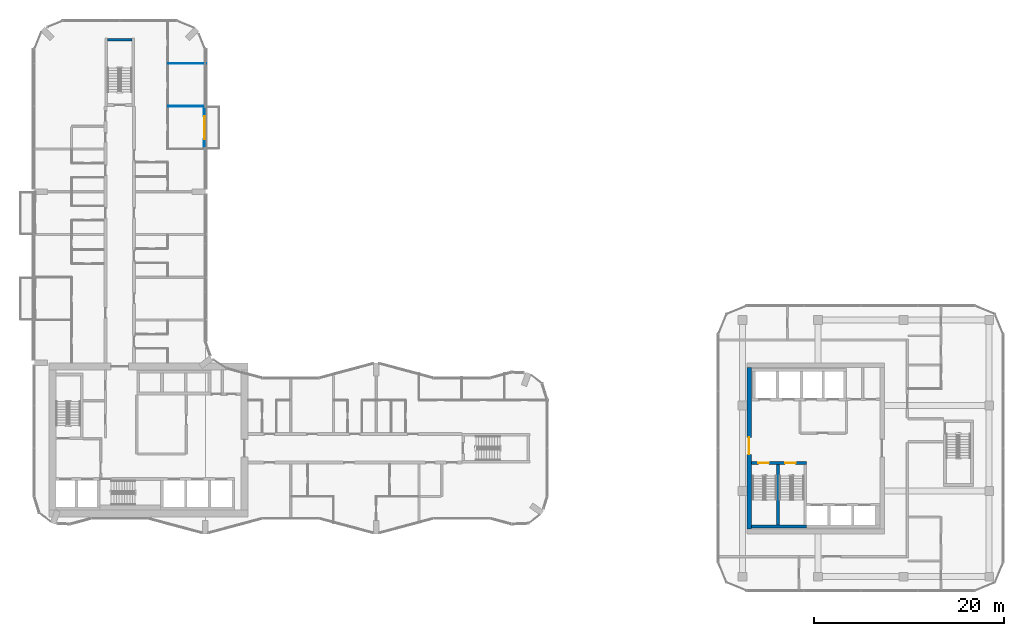
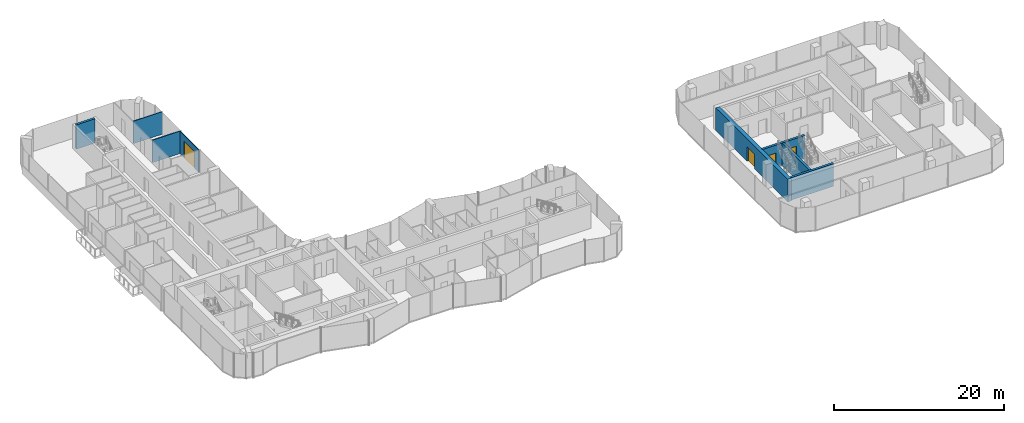
# One storey, part 18 of 24: 8 walls, 4 doors, 4 openings.
"""IFC4 building model written with IfcOpenShell, lengths in metres."""

from ifc_helpers import new_model, si_unit, direction, frame, frame_2d, origin, place, context, subcontext, project, spatial, rectangle, extrude, material, layer, layer_set, type_object, element, fill, save


model = new_model("IFC4")

# Units and contexts
model_context = context("Model", 3, precision=1e-05, world=origin(), true_north=direction((0.0, 1.0)))
body_context = subcontext(model_context, "Body", "Model", "MODEL_VIEW")
ifc_project = project(units=[si_unit("LENGTHUNIT", "METRE"), si_unit("AREAUNIT", "SQUARE_METRE"), si_unit("VOLUMEUNIT", "CUBIC_METRE"), si_unit("PLANEANGLEUNIT", "RADIAN"), si_unit("MASSUNIT", "GRAM", prefix="KILO")], contexts=[model_context])

# Site, building, storey
site_placement = place(None, origin())
site = spatial("IfcSite", under=ifc_project, at=site_placement, CompositionType="ELEMENT")
building_placement = place(site_placement, origin())
building = spatial("IfcBuilding", under=site, at=building_placement, Name="Plateau Cross Towers", CompositionType="ELEMENT")
storey_placement = place(building_placement, frame((0.0, 0.0, 47.800048828125)))
storey = spatial("IfcBuildingStorey", under=building, at=storey_placement, Name="L11", CompositionType="ELEMENT", Elevation=47.800048828125)

# Wall, opening, door
ifc_material_1 = material(Name="Aluminium framed glazing", Category="aluminium")
ifc_layer_1 = layer(ifc_material_1, 0.10009765625)
ifc_layer_set_1 = layer_set([ifc_layer_1], Name="Aluminium framed glazing")
wall_type_1 = type_object("IfcWallType", Name="Balcony screen wall 100", PredefinedType="STANDARD", material=ifc_layer_set_1)
wall_1_placement = place(storey_placement, frame((17.89990234375, 45.0, 0.0), z_axis=(0.0, 0.0, 1.0), x_axis=(0.0, -1.0, 0.0)))
wall_1 = element("IfcWall", 1, at=wall_1_placement, inside=storey, type_object=wall_type_1, Name="Balcony screen wall A-BAL-L11-03", PredefinedType="STANDARD", context=body_context, shape_type="SweptSolid", body=[
    extrude(rectangle(XDim=4.5, YDim=0.10009765625, at=frame_2d((2.25, 0.0))), origin(), (0.0, 0.0, 1.0), 3.25),
])
opening_1_placement = place(wall_1_placement, frame((1.050048828125, 0.0, 0.0)))
opening_1 = element("IfcOpeningElement", 2, at=opening_1_placement, cuts=wall_1, Name="Opening D-B24", PredefinedType="OPENING", context=body_context, shape_type="SweptSolid", body=[
    extrude(rectangle(XDim=2.39990234375, YDim=2.39990234375, at=frame_2d((1.199951171875, 1.199951171875))), frame((0.0, 0.06005859375, 0.0), z_axis=(0.0, -1.0, 0.0), x_axis=(1.0, 0.0, 0.0)), (0.0, 0.0, 1.0), 0.1201171875),
])
ifc_material_2 = material(Name="Aluminium frame, double glazing", Category="aluminium")
door_type_1 = type_object("IfcDoorType", Name="Balcony sliding door 2400", OperationType="NOTDEFINED", PredefinedType="DOOR", material=ifc_material_2)
door_1_placement = place(opening_1_placement, origin())
door_1 = element("IfcDoor", 3, at=door_1_placement, inside=storey, type_object=door_type_1, Name="Balcony door A-BAL-L11-03", OperationType="SINGLE_SWING_LEFT", OverallHeight=2.39990234375, OverallWidth=2.39990234375, PredefinedType="DOOR", context=body_context, shape_type="SweptSolid", body=[
    extrude(rectangle(XDim=2.39990234375, YDim=2.39990234375, at=frame_2d((1.199951171875, 1.199951171875))), frame((0.0, 0.02490234375, 0.0), z_axis=(0.0, -1.0, 0.0), x_axis=(1.0, 0.0, 0.0)), (0.0, 0.0, 1.0), 0.050048828125),
])
fill(opening_1, door_1)

# Wall
ifc_material_3 = material(Name="Concrete C60/75", Category="concrete")
ifc_layer_2 = layer(ifc_material_3, 0.300048828125)
ifc_layer_set_2 = layer_set([ifc_layer_2], Name="Concrete C60/75")
wall_type_2 = type_object("IfcWallType", Name="Core shaft wall 300", PredefinedType="SHEAR", material=ifc_layer_set_2)
wall_2_placement = place(storey_placement, frame((75.47998046875, 0.75, 0.0), z_axis=(0.0, 0.0, 1.0), x_axis=(1.0, 0.0, 0.0)))
element("IfcWall", 4, at=wall_2_placement, inside=storey, type_object=wall_type_2, Name="B-sb-stS@L11", PredefinedType="SHEAR", context=body_context, shape_type="SweptSolid", body=[
    extrude(rectangle(XDim=5.820068359375, YDim=0.300048828125, at=frame_2d((2.91015625, 0.0))), origin(), (0.0, 0.0, 1.0), 3.25),
])

# Wall, openings, doors
wall_3_placement = place(storey_placement, frame((75.47998046875, 7.449951171875, 0.0), z_axis=(0.0, 0.0, 1.0), x_axis=(1.0, 0.0, 0.0)))
wall_3 = element("IfcWall", 5, at=wall_3_placement, inside=storey, type_object=wall_type_2, Name="B-sb-stN@L11", PredefinedType="SHEAR", context=body_context, shape_type="SweptSolid", body=[
    extrude(rectangle(XDim=5.820068359375, YDim=0.300048828125, at=frame_2d((2.91015625, 0.0))), origin(), (0.0, 0.0, 1.0), 3.25),
])
opening_2_placement = place(wall_3_placement, frame((0.75, 0.0, 0.0)))
opening_2 = element("IfcOpeningElement", 6, at=opening_2_placement, cuts=wall_3, Name="Opening SD", PredefinedType="OPENING", context=body_context, shape_type="SweptSolid", body=[
    extrude(rectangle(XDim=1.10009765625, YDim=2.10009765625, at=frame_2d((0.550048828125, 1.050048828125))), frame((0.0, 0.159912109375, 0.0), z_axis=(0.0, -1.0, 0.0), x_axis=(1.0, 0.0, 0.0)), (0.0, 0.0, 1.0), 0.320068359375),
])
opening_3_placement = place(wall_3_placement, frame((3.550048828125, 0.0, 0.0)))
opening_3 = element("IfcOpeningElement", 7, at=opening_3_placement, cuts=wall_3, Name="Opening SD", PredefinedType="OPENING", context=body_context, shape_type="SweptSolid", body=[
    extrude(rectangle(XDim=1.10009765625, YDim=2.10009765625, at=frame_2d((0.550048828125, 1.050048828125))), frame((0.0, 0.159912109375, 0.0), z_axis=(0.0, -1.0, 0.0), x_axis=(1.0, 0.0, 0.0)), (0.0, 0.0, 1.0), 0.320068359375),
])
ifc_material_4 = material(Name="Steel, fire-resisting leaf", Category="steel")
door_type_2 = type_object("IfcDoorType", Name="Stair door 1100", OperationType="NOTDEFINED", PredefinedType="DOOR", material=ifc_material_4)
door_2_placement = place(opening_2_placement, origin())
door_2 = element("IfcDoor", 8, at=door_2_placement, inside=storey, type_object=door_type_2, Name="Stair door SD", OperationType="SINGLE_SWING_RIGHT", OverallHeight=2.10009765625, OverallWidth=1.10009765625, PredefinedType="DOOR", context=body_context, shape_type="SweptSolid", body=[
    extrude(rectangle(XDim=1.10009765625, YDim=2.10009765625, at=frame_2d((0.550048828125, 1.050048828125))), frame((0.0, 0.02490234375, 0.0), z_axis=(0.0, -1.0, 0.0), x_axis=(1.0, 0.0, 0.0)), (0.0, 0.0, 1.0), 0.050048828125),
])
fill(opening_2, door_2)
door_3_placement = place(opening_3_placement, origin())
door_3 = element("IfcDoor", 9, at=door_3_placement, inside=storey, type_object=door_type_2, Name="Stair door SD", OperationType="SINGLE_SWING_LEFT", OverallHeight=2.10009765625, OverallWidth=1.10009765625, PredefinedType="DOOR", context=body_context, shape_type="SweptSolid", body=[
    extrude(rectangle(XDim=1.10009765625, YDim=2.10009765625, at=frame_2d((0.550048828125, 1.050048828125))), frame((0.0, 0.02490234375, 0.0), z_axis=(0.0, -1.0, 0.0), x_axis=(1.0, 0.0, 0.0)), (0.0, 0.0, 1.0), 0.050048828125),
])
fill(opening_3, door_3)

# Wall
wall_4_placement = place(storey_placement, frame((78.300048828125, 0.89990234375, 0.0), z_axis=(0.0, 0.0, 1.0), x_axis=(0.0, 1.0, 0.0)))
element("IfcWall", 10, at=wall_4_placement, inside=storey, type_object=wall_type_2, Name="B-sb-st1@L11", PredefinedType="SHEAR", context=body_context, shape_type="SweptSolid", body=[
    extrude(rectangle(XDim=6.400146484375, YDim=0.300048828125, at=frame_2d((3.2001953125, 0.0))), origin(), (0.0, 0.0, 1.0), 3.25),
])

# Wall, opening, door
ifc_layer_3 = layer(ifc_material_3, 0.5)
ifc_layer_set_3 = layer_set([ifc_layer_3], Name="Concrete C60/75")
wall_type_3 = type_object("IfcWallType", Name="Core shell wall 500", PredefinedType="SHEAR", material=ifc_layer_set_3)
wall_5_placement = place(storey_placement, frame((75.25, 0.5, 0.0), z_axis=(0.0, 0.0, 1.0), x_axis=(0.0, 1.0, 0.0)))
wall_5 = element("IfcWall", 11, at=wall_5_placement, inside=storey, type_object=wall_type_3, Name="B-core-W@L11", PredefinedType="SHEAR", context=body_context, shape_type="SweptSolid", body=[
    extrude(rectangle(XDim=17.0, YDim=0.5, at=frame_2d((8.5, 0.0))), origin(), (0.0, 0.0, 1.0), 3.25),
])
opening_4_placement = place(wall_5_placement, frame((7.85009765625, 0.0, 0.0)))
opening_4 = element("IfcOpeningElement", 12, at=opening_4_placement, cuts=wall_5, Name="Opening CD", PredefinedType="OPENING", context=body_context, shape_type="SweptSolid", body=[
    extrude(rectangle(XDim=1.800048828125, YDim=2.10009765625, at=frame_2d((0.89990234375, 1.050048828125))), frame((0.0, 0.260009765625, 0.0), z_axis=(0.0, -1.0, 0.0), x_axis=(1.0, 0.0, 0.0)), (0.0, 0.0, 1.0), 0.52001953125),
])
ifc_material_5 = material(Name="Steel, fire-resisting leaves", Category="steel")
door_type_3 = type_object("IfcDoorType", Name="Corridor door pair 1800", OperationType="NOTDEFINED", PredefinedType="DOOR", material=ifc_material_5)
door_4_placement = place(opening_4_placement, origin())
door_4 = element("IfcDoor", 13, at=door_4_placement, inside=storey, type_object=door_type_3, Name="Corridor door pair CD", OperationType="DOUBLE_DOOR_SINGLE_SWING", OverallHeight=2.10009765625, OverallWidth=1.800048828125, PredefinedType="DOOR", context=body_context, shape_type="SweptSolid", body=[
    extrude(rectangle(XDim=1.800048828125, YDim=2.10009765625, at=frame_2d((0.89990234375, 1.050048828125))), frame((0.0, 0.02490234375, 0.0), z_axis=(0.0, -1.0, 0.0), x_axis=(1.0, 0.0, 0.0)), (0.0, 0.0, 1.0), 0.050048828125),
])
fill(opening_4, door_4)

# Walls
ifc_material_6 = material(Name="Gypsum board on steel studs", Category="steel")
ifc_layer_4 = layer(ifc_material_6, 0.10009765625)
ifc_layer_set_4 = layer_set([ifc_layer_4], Name="Gypsum board on steel studs")
wall_type_4 = type_object("IfcWallType", Name="Flat partition 100", PredefinedType="PARTITIONING", material=ifc_layer_set_4)
wall_6_placement = place(storey_placement, frame((17.85009765625, 45.0, 0.0), z_axis=(0.0, 0.0, 1.0), x_axis=(-1.0, 0.0, 0.0)))
element("IfcWall", 14, at=wall_6_placement, inside=storey, type_object=wall_type_4, Name="Partition wall", PredefinedType="PARTITIONING", context=body_context, shape_type="SweptSolid", body=[
    extrude(rectangle(XDim=3.72509765625, YDim=0.10009765625, at=frame_2d((1.862548828125, 0.0))), origin(), (0.0, 0.0, 1.0), 3.25),
])
wall_7_placement = place(storey_placement, frame((18.080078125, 49.5, 0.0), z_axis=(0.0, 0.0, 1.0), x_axis=(-1.0, 0.0, 0.0)))
element("IfcWall", 15, at=wall_7_placement, inside=storey, type_object=wall_type_4, Name="Partition wall", PredefinedType="PARTITIONING", context=body_context, shape_type="SweptSolid", body=[
    extrude(rectangle(XDim=3.955078125, YDim=0.10009765625, at=frame_2d((1.9775390625, 0.0))), origin(), (0.0, 0.0, 1.0), 3.25),
])
ifc_layer_5 = layer(ifc_material_3, 0.300048828125)
ifc_layer_set_5 = layer_set([ifc_layer_5], Name="Concrete C60/75")
wall_type_5 = type_object("IfcWallType", Name="Stair tower wall 300", PredefinedType="SHEAR", material=ifc_layer_set_5)
wall_8_placement = place(storey_placement, frame((7.72509765625, 52.0, 0.0), z_axis=(0.0, 0.0, 1.0), x_axis=(1.0, 0.0, 0.0)))
element("IfcWall", 16, at=wall_8_placement, inside=storey, type_object=wall_type_5, Name="A-end-N-N@L11", PredefinedType="SHEAR", context=body_context, shape_type="SweptSolid", body=[
    extrude(rectangle(XDim=2.5498046875, YDim=0.300048828125, at=frame_2d((1.27490234375, 0.0))), origin(), (0.0, 0.0, 1.0), 3.5),
])

save(model, "model.ifc")
